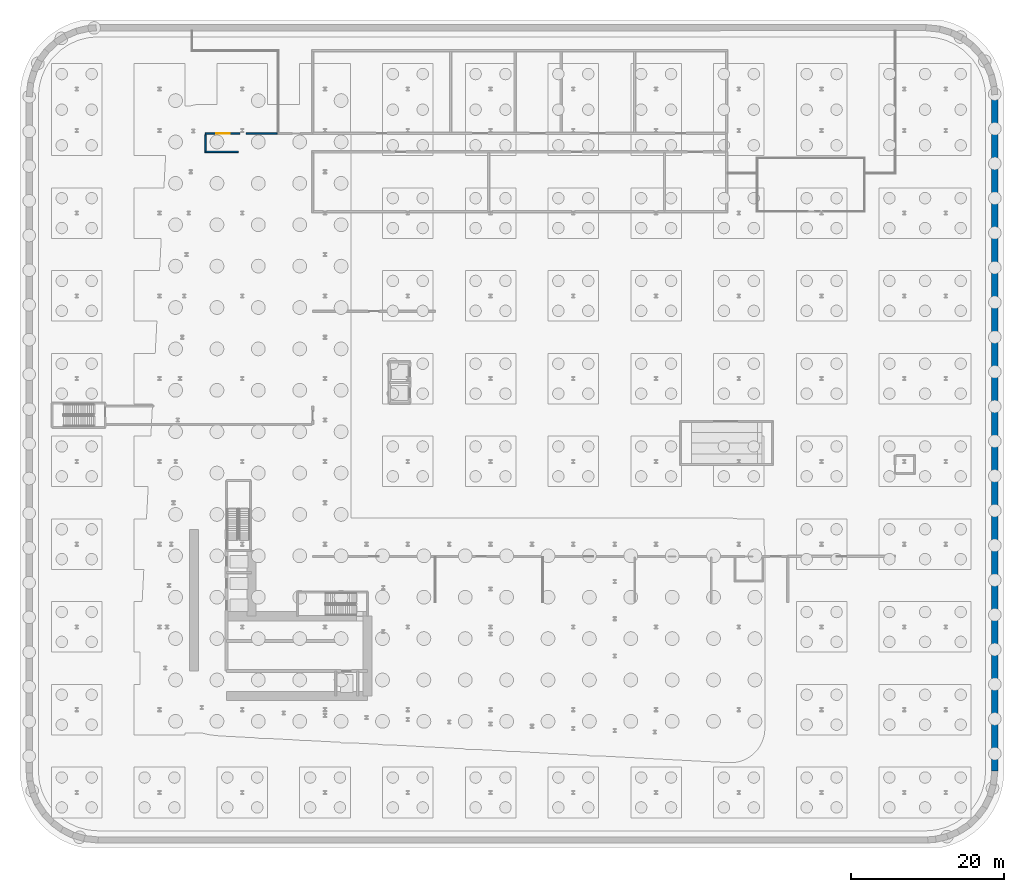
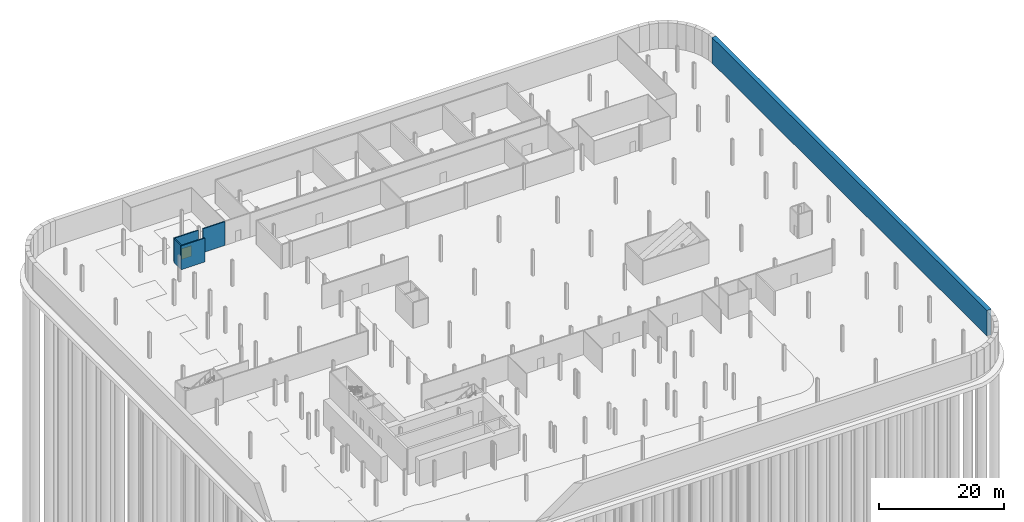
# One storey, part 15 of 23: 5 walls, 1 door, 1 opening.
"""IFC4 building model written with IfcOpenShell, lengths in metres."""

from ifc_helpers import new_model, si_unit, direction, frame, frame_2d, origin, place, context, subcontext, project, spatial, rectangle, extrude, source, transform, mapped, material, layer, layer_set, type_object, element, fill, save


model = new_model("IFC4")

# Units and contexts
model_context = context("Model", 3, precision=1e-05, world=origin(), true_north=direction((0.0, 1.0)))
body_context = subcontext(model_context, "Body", "Model", "MODEL_VIEW")
ifc_project = project(units=[si_unit("LENGTHUNIT", "METRE"), si_unit("AREAUNIT", "SQUARE_METRE"), si_unit("VOLUMEUNIT", "CUBIC_METRE"), si_unit("PLANEANGLEUNIT", "RADIAN"), si_unit("MASSUNIT", "GRAM", prefix="KILO")], contexts=[model_context])

# Site, building, storey
site_placement = place(None, origin())
site = spatial("IfcSite", under=ifc_project, at=site_placement, CompositionType="ELEMENT")
building_placement = place(site_placement, origin())
building = spatial("IfcBuilding", under=site, at=building_placement, Name="Kheshtan School and Residences Tower", CompositionType="ELEMENT")
storey_placement = place(building_placement, frame((0.0, 0.0, -15.0)))
storey = spatial("IfcBuildingStorey", under=building, at=storey_placement, Name="B3", CompositionType="ELEMENT", Elevation=-15.0)

# Walls
ifc_material_1 = material(Name="Concrete C35/45", Category="concrete")
ifc_layer_1 = layer(ifc_material_1, 0.800048828125)
ifc_layer_set_1 = layer_set([ifc_layer_1], Name="Basement wall 800 Concrete C35/45")
wall_type_1 = type_object("IfcWallType", Name="Basement wall 800 Concrete C35/45", PredefinedType="SOLIDWALL", material=ifc_layer_set_1)
wall_1_placement = place(storey_placement, frame((134.989013671875, 104.260986328125, 0.0), z_axis=(0.0, 0.0, 1.0), x_axis=(0.000124475473, -0.999999992253, 0.0)))
element("IfcWall", 1, at=wall_1_placement, inside=storey, type_object=wall_type_1, Name="Secant pile wall 20", PredefinedType="SOLIDWALL", context=body_context, shape_type="SweptSolid", body=[
    extrude(rectangle(XDim=88.260986328125, YDim=0.800048828125, at=frame_2d((44.13037109375, 0.0))), origin(), (0.0, 0.0, 1.0), 5.0),
])
ifc_material_2 = material(Name="Gypsum board on steel studs with fire boards", Category="steel")
ifc_layer_2 = layer(ifc_material_2, 0.199951171875)
ifc_layer_set_2 = layer_set([ifc_layer_2], Name="Corridor wall 200")
wall_type_2 = type_object("IfcWallType", Name="Corridor wall 200", PredefinedType="PARTITIONING", material=ifc_layer_set_2)
wall_2_placement = place(storey_placement, frame((31.89990234375, 96.800048828125, 0.0), z_axis=(0.0, 0.0, 1.0), x_axis=(1.0, 0.0, 0.0)))
element("IfcWall", 2, at=wall_2_placement, inside=storey, type_object=wall_type_2, Name="Partition B3-005", PredefinedType="PARTITIONING", context=body_context, shape_type="SweptSolid", body=[
    extrude(rectangle(XDim=4.400146484375, YDim=0.199951171875, at=frame_2d((2.2001953125, 0.0))), origin(), (0.0, 0.0, 1.0), 4.679931640625),
])
wall_3_placement = place(storey_placement, frame((32.0, 96.89990234375, 0.0), z_axis=(0.0, 0.0, 1.0), x_axis=(0.0, 1.0, 0.0)))
element("IfcWall", 3, at=wall_3_placement, inside=storey, type_object=wall_type_2, Name="Partition B3-006", PredefinedType="PARTITIONING", context=body_context, shape_type="SweptSolid", body=[
    extrude(rectangle(XDim=2.10009765625, YDim=0.199951171875, at=frame_2d((1.050048828125, 0.0))), origin(), (0.0, 0.0, 1.0), 4.679931640625),
])

# Wall, opening, door
wall_4_placement = place(storey_placement, frame((32.0, 99.199951171875, 0.0), z_axis=(0.0, 0.0, 1.0), x_axis=(1.0, 0.0, 0.0)))
wall_4 = element("IfcWall", 4, at=wall_4_placement, inside=storey, type_object=wall_type_2, Name="Partition B3-007", PredefinedType="PARTITIONING", context=body_context, shape_type="SweptSolid", body=[
    extrude(rectangle(XDim=4.5, YDim=0.199951171875, at=frame_2d((2.25, 0.0))), origin(), (0.0, 0.0, 1.0), 4.679931640625),
])
opening_placement = place(wall_4_placement, frame((1.39990234375, 0.0, 0.0)))
opening = element("IfcOpeningElement", 5, at=opening_placement, cuts=wall_4, Name="Opening D3-002", PredefinedType="OPENING", context=body_context, shape_type="SweptSolid", body=[
    extrude(rectangle(XDim=1.800048828125, YDim=2.10009765625, at=frame_2d((0.89990234375, 1.050048828125))), frame((0.0, 0.10986328125, 0.0), z_axis=(0.0, -1.0, 0.0), x_axis=(1.0, 0.0, 0.0)), (0.0, 0.0, 1.0), 0.219970703125),
])
ifc_material_3 = material(Name="Steel-framed fire-resisting door leaf", Category="steel")
door_type = type_object("IfcDoorType", Name="Fire double door FD60 1800 x 2100", OperationType="DOUBLE_DOOR_SINGLE_SWING", PredefinedType="DOOR", material=ifc_material_3)
shared_shape = source(origin(), body_context, "Body", "SweptSolid", [
    extrude(rectangle(XDim=1.800048828125, YDim=2.10009765625, at=frame_2d((0.89990234375, 1.050048828125))), frame((0.0, 0.02490234375, 0.0), z_axis=(0.0, -1.0, 0.0), x_axis=(1.0, 0.0, 0.0)), (0.0, 0.0, 1.0), 0.050048828125),
])
door_placement = place(opening_placement, origin())
door = element("IfcDoor", 6, at=door_placement, inside=storey, type_object=door_type, Name="Door D3-002", OperationType="DOUBLE_DOOR_SINGLE_SWING", OverallHeight=2.10009765625, OverallWidth=1.800048828125, PredefinedType="DOOR", context=body_context, shape_type="MappedRepresentation", body=[
    mapped(shared_shape, transform((0.0, 0.0, 0.0), x_axis=(1.0, 0.0, 0.0), y_axis=(0.0, 1.0, 0.0), z_axis=(0.0, 0.0, 1.0), scale=1.0)),
])
fill(opening, door)

# Wall
wall_5_placement = place(storey_placement, frame((37.300048828125, 99.199951171875, 0.0), z_axis=(0.0, 0.0, 1.0), x_axis=(1.0, 0.0, 0.0)))
element("IfcWall", 7, at=wall_5_placement, inside=storey, type_object=wall_type_2, Name="Partition B3-008", PredefinedType="PARTITIONING", context=body_context, shape_type="SweptSolid", body=[
    extrude(rectangle(XDim=4.050048828125, YDim=0.199951171875, at=frame_2d((2.02490234375, 0.0))), origin(), (0.0, 0.0, 1.0), 4.679931640625),
])

save(model, "model.ifc")
